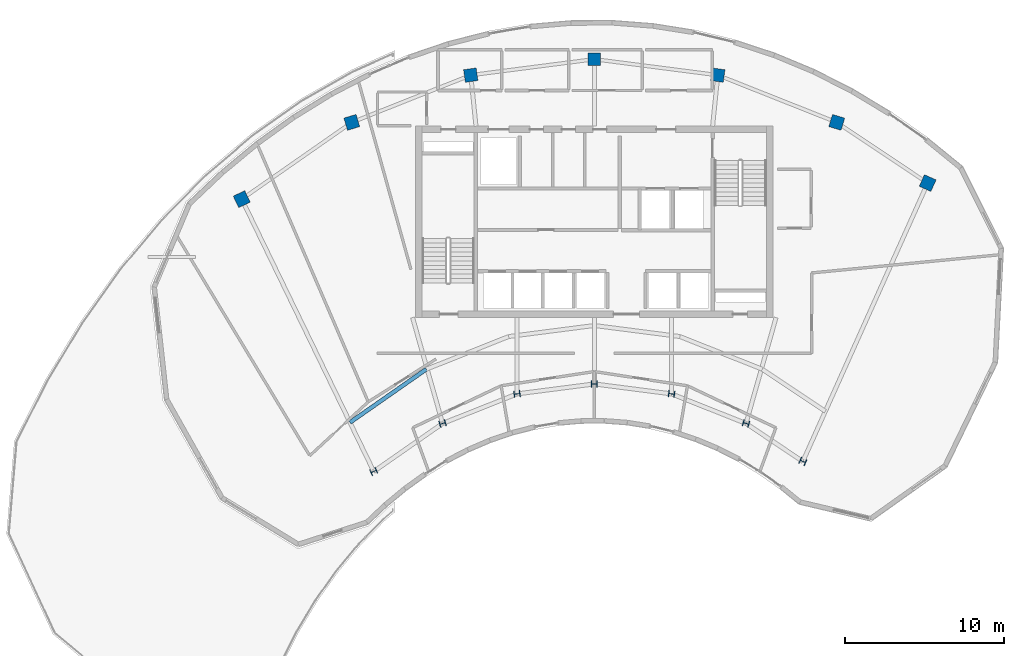
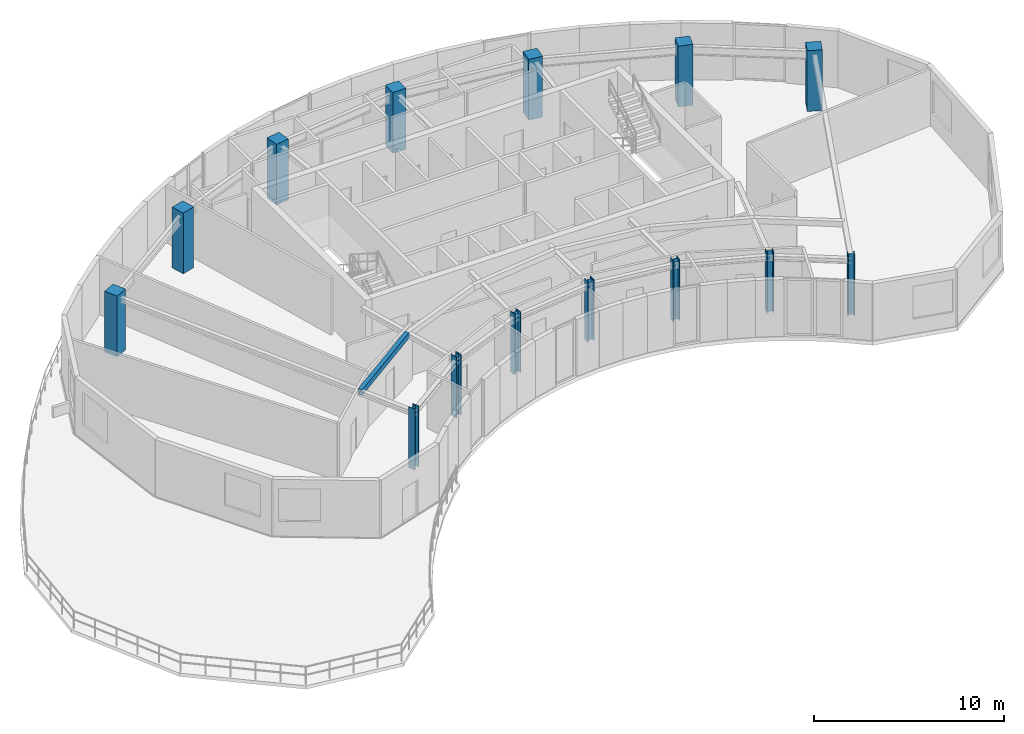
# One storey, part 1 of 11: 14 columns, 1 beam.
"""IFC4 building model written with IfcOpenShell, lengths in metres."""

from ifc_helpers import new_model, si_unit, direction, frame, origin, origin_2d, place, context, subcontext, project, spatial, rectangle, hollow_rectangle, i_section, extrude, source, transform, mapped, material, material_profile, profile_set, type_object, element, save


model = new_model("IFC4")

# Units and contexts
model_context = context("Model", 3, precision=1e-05, world=origin(), true_north=direction((0.0, 1.0)))
body_context = subcontext(model_context, "Body", "Model", "MODEL_VIEW")
ifc_project = project(units=[si_unit("LENGTHUNIT", "METRE"), si_unit("AREAUNIT", "SQUARE_METRE"), si_unit("VOLUMEUNIT", "CUBIC_METRE"), si_unit("PLANEANGLEUNIT", "RADIAN"), si_unit("MASSUNIT", "GRAM", prefix="KILO")], contexts=[model_context])

# Site, building, storey
site_placement = place(None, origin())
site = spatial("IfcSite", under=ifc_project, at=site_placement, CompositionType="ELEMENT")
building_placement = place(site_placement, origin())
building = spatial("IfcBuilding", under=site, at=building_placement, Name="Breltana Convention Tower", CompositionType="ELEMENT")
storey_placement = place(building_placement, frame((0.0, 0.0, 275.699951171875)))
storey = spatial("IfcBuildingStorey", under=building, at=storey_placement, Name="L67", CompositionType="ELEMENT", Elevation=275.699951171875)

# Columns
ifc_material_1 = material(Name="Steel ASTM A992 Grade 50", Category="steel")
ifc_material_profile_1 = material_profile(ifc_material_1, i_section(OverallWidth=0.39892578125, OverallDepth=0.386962890625, WebThickness=0.02099609375, FlangeThickness=0.033203125, at=origin_2d()), Name="W14X176")
ifc_profile_set_1 = profile_set([ifc_material_profile_1], Name="Steel ASTM A992 Grade 50")
column_type_1 = type_object("IfcColumnType", Name="COL-STL-W14X176", PredefinedType="COLUMN", material=ifc_profile_set_1)
shared_shape_1 = source(origin(), body_context, "Body", "SweptSolid", [
    extrude(i_section(OverallWidth=0.39892578125, OverallDepth=0.386962890625, WebThickness=0.02099609375, FlangeThickness=0.033203125, at=origin_2d()), origin(), (0.0, 0.0, 1.0), 3.900146484375),
])
for number, where, z_axis, x_axis, name in (
    (1, (34.166259765625, 50.544921875, 0.0), (0.0, 0.0, 1.0), (-0.436173672171, 0.899862504889, 0.0), "L67 Tower Column R03-IN"),
    (2, (38.485107421875, 53.5576171875, 0.0), (0.0, 0.0, 1.0), (-0.288697611798, 0.957420330337, 0.0), "L67 Tower Column R04-IN"),
    (3, (43.153564453125, 55.41064453125, 0.0), (0.0, 0.0, 1.0), (-0.143492621991, 0.98965138682, 0.0), "L67 Tower Column R05-IN"),
    (4, (48.0, 56.035888671875, 0.0), (0.0, 0.0, 1.0), (0.0, 1.0, 0.0), "L67 Tower Column R06-IN"),
    (5, (52.846435546875, 55.41064453125, 0.0), (0.0, 0.0, 1.0), (0.143492621991, 0.98965138682, 0.0), "L67 Tower Column R07-IN"),
    (6, (57.514892578125, 53.5576171875, 0.0), (0.0, 0.0, 1.0), (0.288697611798, 0.957420330337, 0.0), "L67 Tower Column R08-IN"),
    (7, (61.08203125, 51.174560546875, 0.0), (0.0, 0.0, 1.0), (0.409126902895, 0.912477494148, 0.0), "L67 Tower Column R09-IN"),
):
    element("IfcColumn", number, at=place(storey_placement, frame(where, z_axis=z_axis, x_axis=x_axis)), inside=storey, type_object=column_type_1, Name=name, PredefinedType="COLUMN", context=body_context, shape_type="MappedRepresentation", body=[
        mapped(shared_shape_1, transform((0.0, 0.0, 0.0), scale=1.0)),
    ])
ifc_material_2 = material(Name="Concrete C50/60", Category="concrete")
ifc_material_profile_2 = material_profile(ifc_material_2, rectangle(XDim=0.800048828125, YDim=0.800048828125, at=origin_2d()), Name="RC-COL-800X800")
ifc_profile_set_2 = profile_set([ifc_material_profile_2], Name="Concrete C50/60")
column_type_2 = type_object("IfcColumnType", Name="COL-RC-800", PredefinedType="COLUMN", material=ifc_profile_set_2)
shared_shape_2 = source(origin(), body_context, "Body", "SweptSolid", [
    extrude(rectangle(XDim=0.800048828125, YDim=0.800048828125, at=origin_2d()), origin(), (0.0, 0.0, 1.0), 3.900146484375),
])
for number, where, z_axis, x_axis, name in (
    (8, (25.8876953125, 67.626953125, 0.0), (0.0, 0.0, 1.0), (-0.436173672171, 0.899862504889, 0.0), "L67 Tower Column R03-OUT"),
    (9, (32.791015625, 72.4423828125, 0.0), (0.0, 0.0, 1.0), (-0.288697611798, 0.957420330337, 0.0), "L67 Tower Column R04-OUT"),
    (10, (40.253173828125, 75.404296875, 0.0), (0.0, 0.0, 1.0), (-0.143492621991, 0.98965138682, 0.0), "L67 Tower Column R05-OUT"),
    (11, (48.0, 76.404052734375, 0.0), (0.0, 0.0, 1.0), (0.0, 1.0, 0.0), "L67 Tower Column R06-OUT"),
    (12, (55.746826171875, 75.404296875, 0.0), (0.0, 0.0, 1.0), (0.143492621991, 0.98965138682, 0.0), "L67 Tower Column R07-OUT"),
    (13, (63.208984375, 72.4423828125, 0.0), (0.0, 0.0, 1.0), (0.288697611798, 0.957420330337, 0.0), "L67 Tower Column R08-OUT"),
    (14, (68.910400390625, 68.63330078125, 0.0), (0.0, 0.0, 1.0), (0.409126902895, 0.912477494148, 0.0), "L67 Tower Column R09-OUT"),
):
    element("IfcColumn", number, at=place(storey_placement, frame(where, z_axis=z_axis, x_axis=x_axis)), inside=storey, type_object=column_type_2, Name=name, PredefinedType="COLUMN", context=body_context, shape_type="MappedRepresentation", body=[
        mapped(shared_shape_2, transform((0.0, 0.0, 0.0), scale=1.0)),
    ])

# Beam
ifc_material_profile_3 = material_profile(ifc_material_1, hollow_rectangle(XDim=0.25, YDim=0.35009765625, WallThickness=0.011962890625, at=origin_2d()), Name="RHS350X250X12")
ifc_profile_set_3 = profile_set([ifc_material_profile_3], Name="Steel ASTM A992 Grade 50")
beam_type = type_object("IfcBeamType", Name="BM-JSG-12", PredefinedType="JOIST", material=ifc_profile_set_3)
shared_shape_3 = source(origin(), body_context, "Body", "SweptSolid", [
    extrude(hollow_rectangle(XDim=0.25, YDim=0.35009765625, WallThickness=0.011962890625, at=origin_2d()), origin(), (0.0, 0.0, 1.0), 5.8330078125),
])
beam_placement = place(storey_placement, frame((32.676025390625, 53.619873046875, 3.465087890625), z_axis=(0.820198204115, 0.572079457739, 0.0), x_axis=(-0.572079457739, 0.820198204115, 0.0)))
element("IfcBeam", 15, at=beam_placement, inside=storey, type_object=beam_type, Name="L67 Composite Floor Joist 03.1", PredefinedType="JOIST", context=body_context, shape_type="MappedRepresentation", body=[
    mapped(shared_shape_3, transform((0.0, 0.0, 0.0), scale=1.0)),
])

save(model, "model.ifc")
